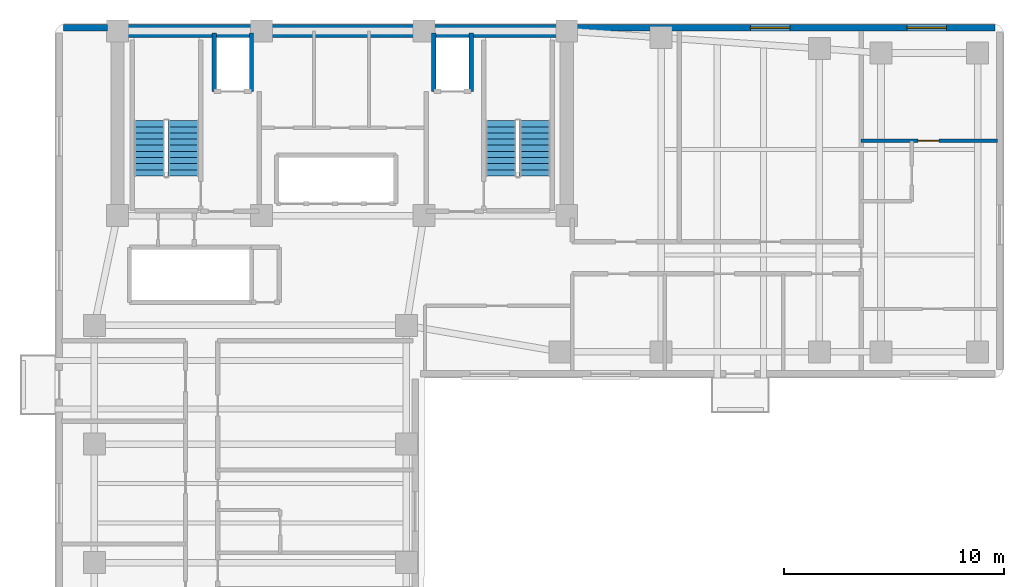
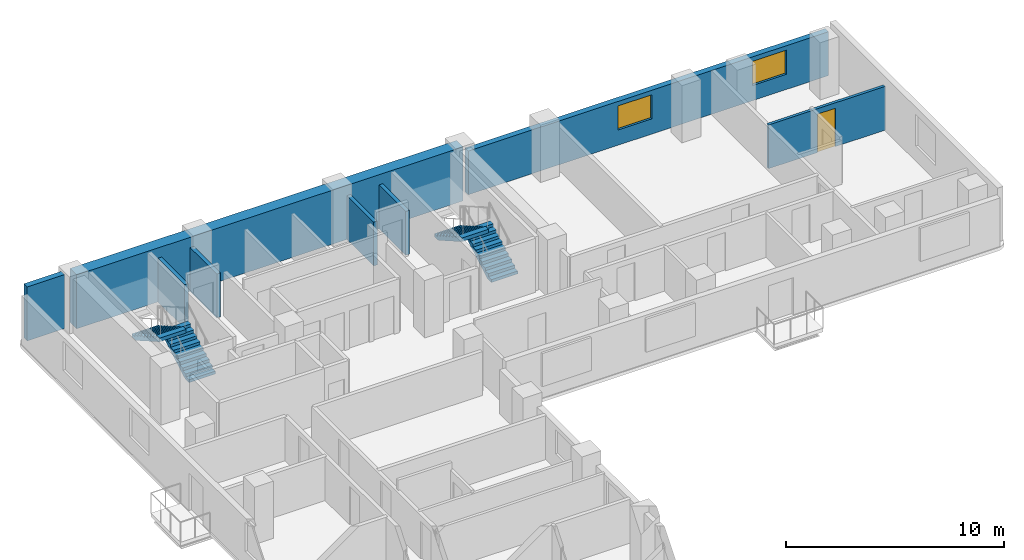
# One storey, part 5 of 7: 8 walls, 4 stair flights, 2 windows, 1 door, 3 openings, 2 elements without a shape of their own.
"""IFC4 building model written with IfcOpenShell, lengths in metres."""

from ifc_helpers import new_model, si_unit, direction, frame, frame_2d, origin, place, context, subcontext, project, spatial, polyline, rectangle, outline, extrude, material, layer, layer_set, type_object, element, fill, aggregate, save


model = new_model("IFC4")

# Units and contexts
model_context = context("Model", 3, precision=1e-05, world=origin(), true_north=direction((0.0, 1.0)))
body_context = subcontext(model_context, "Body", "Model", "MODEL_VIEW")
ifc_project = project(units=[si_unit("LENGTHUNIT", "METRE"), si_unit("AREAUNIT", "SQUARE_METRE"), si_unit("VOLUMEUNIT", "CUBIC_METRE"), si_unit("PLANEANGLEUNIT", "RADIAN"), si_unit("MASSUNIT", "GRAM", prefix="KILO")], contexts=[model_context])

# Site, building, storey
site_placement = place(None, origin())
site = spatial("IfcSite", under=ifc_project, at=site_placement, CompositionType="ELEMENT")
building_placement = place(site_placement, origin())
building = spatial("IfcBuilding", under=site, at=building_placement, Name="Kuzgunbayir Cultural Tower", CompositionType="ELEMENT")
storey_placement = place(building_placement, frame((0.0, 0.0, 142.60009765625)))
storey = spatial("IfcBuildingStorey", under=building, at=storey_placement, Name="L41", CompositionType="ELEMENT", Elevation=142.60009765625)

# Wall
ifc_material_1 = material(Name="Concrete C60/75", Category="concrete")
ifc_layer_1 = layer(ifc_material_1, 0.60009765625)
ifc_layer_set_1 = layer_set([ifc_layer_1], Name="Concrete C60/75")
wall_type_1 = type_object("IfcWallType", Name="WAL-CORE-600", PredefinedType="SHEAR", material=ifc_layer_set_1)
wall_1_placement = place(storey_placement, frame((6.449951171875, 42.199951171875, 0.0), z_axis=(0.0, 0.0, 1.0), x_axis=(1.0, 0.0, 0.0)))
element("IfcWall", 1, at=wall_1_placement, inside=storey, type_object=wall_type_1, Name="L41 T1 Core North Shear Wall", PredefinedType="SHEAR", context=body_context, shape_type="SweptSolid", body=[
    extrude(rectangle(XDim=20.449951171875, YDim=0.60009765625, at=frame_2d((10.22509765625, 0.0))), origin(), (0.0, 0.0, 1.0), 3.02001953125),
])

# Wall, openings, windows
ifc_material_2 = material(Name="Anatolian Cream Limestone", Category="masonry")
ifc_layer_2 = layer(ifc_material_2, 0.300048828125)
ifc_layer_set_2 = layer_set([ifc_layer_2], Name="Anatolian Cream Limestone")
wall_type_2 = type_object("IfcWallType", Name="WAL-EXT-STONE-300", PredefinedType="STANDARD", material=ifc_layer_set_2)
wall_2_placement = place(storey_placement, frame((46.39990234375, 42.35009765625, 0.0), z_axis=(0.0, 0.0, 1.0), x_axis=(-1.0, 0.0, 0.0)))
wall_2 = element("IfcWall", 2, at=wall_2_placement, inside=storey, type_object=wall_type_2, Name="L41 North Wing B Limestone Wall", PredefinedType="STANDARD", context=body_context, shape_type="SweptSolid", body=[
    extrude(rectangle(XDim=19.0498046875, YDim=0.300048828125, at=frame_2d((9.52490234375, 0.0))), origin(), (0.0, 0.0, 1.0), 2.449951171875),
])
opening_1_placement = place(wall_2_placement, frame((2.219970703125, 0.0, 0.85009765625)))
opening_1 = element("IfcOpeningElement", 3, at=opening_1_placement, cuts=wall_2, Name="Opening WH-18", PredefinedType="OPENING", context=body_context, shape_type="SweptSolid", body=[
    extrude(rectangle(XDim=1.800048828125, YDim=1.35009765625, at=frame_2d((0.89990234375, 0.675048828125))), frame((0.0, 0.16015625, 0.0), z_axis=(0.0, -1.0, 0.0), x_axis=(1.0, 0.0, 0.0)), (0.0, 0.0, 1.0), 0.320068359375),
])
opening_2_placement = place(wall_2_placement, frame((9.340087890625, 0.0, 0.85009765625)))
opening_2 = element("IfcOpeningElement", 4, at=opening_2_placement, cuts=wall_2, Name="Opening WH-18", PredefinedType="OPENING", context=body_context, shape_type="SweptSolid", body=[
    extrude(rectangle(XDim=1.800048828125, YDim=1.35009765625, at=frame_2d((0.89990234375, 0.675048828125))), frame((0.0, 0.16015625, 0.0), z_axis=(0.0, -1.0, 0.0), x_axis=(1.0, 0.0, 0.0)), (0.0, 0.0, 1.0), 0.320068359375),
])
ifc_material_3 = material(Name="Solar-Control Triple Glazing", Category="glass")
window_type = type_object("IfcWindowType", Name="WIN-HOTEL-18", PartitioningType="SINGLE_PANEL", PredefinedType="WINDOW", material=ifc_material_3)
window_1_placement = place(opening_1_placement, origin())
window_1 = element("IfcWindow", 5, at=window_1_placement, inside=storey, type_object=window_type, Name="L41 CRN Facade Window 5", OverallHeight=1.35009765625, OverallWidth=1.800048828125, PartitioningType="SINGLE_PANEL", PredefinedType="WINDOW", context=body_context, shape_type="SweptSolid", body=[
    extrude(rectangle(XDim=1.800048828125, YDim=1.35009765625, at=frame_2d((0.89990234375, 0.675048828125))), frame((0.0, 0.030029296875, 0.0), z_axis=(0.0, -1.0, 0.0), x_axis=(1.0, 0.0, 0.0)), (0.0, 0.0, 1.0), 0.06005859375),
])
fill(opening_1, window_1)
window_2_placement = place(opening_2_placement, origin())
window_2 = element("IfcWindow", 6, at=window_2_placement, inside=storey, type_object=window_type, Name="L41 CRN Facade Window 6", OverallHeight=1.35009765625, OverallWidth=1.800048828125, PartitioningType="SINGLE_PANEL", PredefinedType="WINDOW", context=body_context, shape_type="SweptSolid", body=[
    extrude(rectangle(XDim=1.800048828125, YDim=1.35009765625, at=frame_2d((0.89990234375, 0.675048828125))), frame((0.0, 0.030029296875, 0.0), z_axis=(0.0, -1.0, 0.0), x_axis=(1.0, 0.0, 0.0)), (0.0, 0.0, 1.0), 0.06005859375),
])
fill(opening_2, window_2)

# Wall
wall_3_placement = place(storey_placement, frame((6.0, 42.35009765625, 0.0), z_axis=(0.0, 0.0, 1.0), x_axis=(-1.0, 0.0, 0.0)))
element("IfcWall", 7, at=wall_3_placement, inside=storey, type_object=wall_type_2, Name="L41 Core North-West Spandrel Link", PredefinedType="STANDARD", context=body_context, shape_type="SweptSolid", body=[
    extrude(rectangle(XDim=2.0, YDim=0.300048828125, at=frame_2d((1.0, 0.0))), origin(), (0.0, 0.0, 1.0), 3.02001953125),
])

# Wall, opening, door
ifc_material_4 = material(Name="Acoustic Double-Stud Drywall", Category="gypsum")
ifc_layer_3 = layer(ifc_material_4, 0.14990234375)
ifc_layer_set_3 = layer_set([ifc_layer_3], Name="Acoustic Double-Stud Drywall")
wall_type_3 = type_object("IfcWallType", Name="WAL-PART-ACOUSTIC-150", PredefinedType="PARTITIONING", material=ifc_layer_set_3)
wall_4_placement = place(storey_placement, frame((40.300048828125, 37.199951171875, 0.0), z_axis=(0.0, 0.0, 1.0), x_axis=(1.0, 0.0, 0.0)))
wall_4 = element("IfcWall", 8, at=wall_4_placement, inside=storey, type_object=wall_type_3, Name="L41 Corner Suite Bedroom Wall", PredefinedType="PARTITIONING", context=body_context, shape_type="SweptSolid", body=[
    extrude(rectangle(XDim=6.199951171875, YDim=0.14990234375, at=frame_2d((3.10009765625, 0.0))), origin(), (0.0, 0.0, 1.0), 2.449951171875),
])
opening_3_placement = place(wall_4_placement, frame((2.590087890625, 0.0, 0.0)))
opening_3 = element("IfcOpeningElement", 9, at=opening_3_placement, cuts=wall_4, Name="Opening DI-90", PredefinedType="OPENING", context=body_context, shape_type="SweptSolid", body=[
    extrude(rectangle(XDim=0.949951171875, YDim=2.14990234375, at=frame_2d((0.47509765625, 1.074951171875))), frame((0.0, 0.0849609375, 0.0), z_axis=(0.0, -1.0, 0.0), x_axis=(1.0, 0.0, 0.0)), (0.0, 0.0, 1.0), 0.169921875),
])
ifc_material_5 = material(Name="Veneered Oak Single Leaf", Category="wood")
door_type = type_object("IfcDoorType", Name="DR-INT-90", OperationType="NOTDEFINED", PredefinedType="DOOR", material=ifc_material_5)
door_placement = place(opening_3_placement, origin())
door = element("IfcDoor", 10, at=door_placement, inside=storey, type_object=door_type, Name="L41 Corner Bedroom Door", OperationType="SINGLE_SWING_LEFT", OverallHeight=2.14990234375, OverallWidth=0.949951171875, PredefinedType="DOOR", context=body_context, shape_type="SweptSolid", body=[
    extrude(rectangle(XDim=0.949951171875, YDim=2.14990234375, at=frame_2d((0.47509765625, 1.074951171875))), frame((0.0, 0.02490234375, 0.0), z_axis=(0.0, -1.0, 0.0), x_axis=(1.0, 0.0, 0.0)), (0.0, 0.0, 1.0), 0.050048828125),
])
fill(opening_3, door)

# Walls
ifc_material_6 = material(Name="Concrete C40/50", Category="concrete")
ifc_layer_4 = layer(ifc_material_6, 0.199951171875)
ifc_layer_set_4 = layer_set([ifc_layer_4], Name="Concrete C40/50")
wall_type_4 = type_object("IfcWallType", Name="WAL-SHAFT-200", PredefinedType="MOVABLE", material=ifc_layer_set_4)
for number, where, z_axis, x_axis, name in (
    (11, (10.85009765625, 39.449951171875, 0.0), (0.0, 0.0, 1.0), (0.0, 1.0, 0.0), "L41 FFL-1 Shaft West Wall"),
    (12, (12.550048828125, 39.449951171875, 0.0), (0.0, 0.0, 1.0), (0.0, 1.0, 0.0), "L41 FFL-1 Shaft East Wall"),
    (13, (20.85009765625, 39.449951171875, 0.0), (0.0, 0.0, 1.0), (0.0, 1.0, 0.0), "L41 FFL-2 Shaft West Wall"),
    (14, (22.550048828125, 39.449951171875, 0.0), (0.0, 0.0, 1.0), (0.0, 1.0, 0.0), "L41 FFL-2 Shaft East Wall"),
):
    element("IfcWall", number, at=place(storey_placement, frame(where, z_axis=z_axis, x_axis=x_axis)), inside=storey, type_object=wall_type_4, Name=name, PredefinedType="MOVABLE", context=body_context, shape_type="SweptSolid", body=[
        extrude(rectangle(XDim=2.650146484375, YDim=0.199951171875, at=frame_2d((1.3251953125, 0.0))), origin(), (0.0, 0.0, 1.0), 2.449951171875),
    ])

# Stair, stair flights
stair_type = type_object("IfcStairType", Name="STR-EXIT-CORE", PredefinedType="HALF_TURN_STAIR", material=ifc_material_6)
stair_1_placement = place(storey_placement, origin())
stair_1 = element("IfcStair", 15, at=stair_1_placement, inside=storey, type_object=stair_type, Name="L41 ST-1", PredefinedType="HALF_TURN_STAIR")
stair_flight_type = type_object("IfcStairFlightType", Name="STRF-RC-140", PredefinedType="STRAIGHT", material=ifc_material_6)
stair_flight_1_placement = place(storey_placement, frame((9.4599609375, 35.60009765625, 0.0), z_axis=(0.0, 0.0, 1.0), x_axis=(0.0, 1.0, 0.0)))
stair_flight_1 = element("IfcStairFlight", 16, at=stair_flight_1_placement, type_object=stair_flight_type, Name="ST-1 flight 1", NumberOfRisers=10, NumberOfTreads=9, PredefinedType="STRAIGHT", RiserHeight=0.16, TreadLength=0.28, context=body_context, shape_type="SweptSolid", body=[
    extrude(outline(polyline([(0.0, 0.0), (0.0, 0.159912109375), (0.280029296875, 0.159912109375), (0.280029296875, 0.320068359375), (0.56005859375, 0.320068359375), (0.56005859375, 0.47998046875), (0.840087890625, 0.47998046875), (0.840087890625, 0.639892578125), (1.1201171875, 0.639892578125), (1.1201171875, 0.800048828125), (1.39990234375, 0.800048828125), (1.39990234375, 0.9599609375), (1.679931640625, 0.9599609375), (1.679931640625, 1.1201171875), (1.9599609375, 1.1201171875), (1.9599609375, 1.280029296875), (2.239990234375, 1.280029296875), (2.239990234375, 1.43994140625), (2.52001953125, 1.43994140625), (2.52001953125, 1.60009765625), (2.52001953125, 1.232666015625), (0.362548828125, 0.0), (0.0, 0.0)])), frame((0.0, 0.699951171875, 0.0), z_axis=(0.0, -1.0, 0.0), x_axis=(1.0, 0.0, 0.0)), (0.0, 0.0, 1.0), 1.39990234375),
])
stair_flight_2_placement = place(storey_placement, frame((7.89990234375, 38.1201171875, 1.599853515625), z_axis=(0.0, 0.0, 1.0), x_axis=(0.0, -1.0, 0.0)))
stair_flight_2 = element("IfcStairFlight", 17, at=stair_flight_2_placement, type_object=stair_flight_type, Name="ST-1 flight 2", NumberOfRisers=10, NumberOfTreads=9, PredefinedType="STRAIGHT", RiserHeight=0.16, TreadLength=0.28, context=body_context, shape_type="SweptSolid", body=[
    extrude(outline(polyline([(0.0, 0.0), (0.0, 0.159912109375), (0.280029296875, 0.159912109375), (0.280029296875, 0.320068359375), (0.56005859375, 0.320068359375), (0.56005859375, 0.47998046875), (0.840087890625, 0.47998046875), (0.840087890625, 0.639892578125), (1.1201171875, 0.639892578125), (1.1201171875, 0.800048828125), (1.39990234375, 0.800048828125), (1.39990234375, 0.9599609375), (1.679931640625, 0.9599609375), (1.679931640625, 1.1201171875), (1.9599609375, 1.1201171875), (1.9599609375, 1.280029296875), (2.239990234375, 1.280029296875), (2.239990234375, 1.43994140625), (2.52001953125, 1.43994140625), (2.52001953125, 1.60009765625), (2.52001953125, 1.232666015625), (0.362548828125, 0.0), (0.0, 0.0)])), frame((0.0, 0.699951171875, 0.0), z_axis=(0.0, -1.0, 0.0), x_axis=(1.0, 0.0, 0.0)), (0.0, 0.0, 1.0), 1.39990234375),
])
aggregate(stair_1, [stair_flight_1, stair_flight_2])

stair_2_placement = place(storey_placement, origin())
stair_2 = element("IfcStair", 18, at=stair_2_placement, inside=storey, type_object=stair_type, Name="L41 ST-2", PredefinedType="HALF_TURN_STAIR")
stair_flight_3_placement = place(storey_placement, frame((25.4599609375, 35.60009765625, 0.0), z_axis=(0.0, 0.0, 1.0), x_axis=(0.0, 1.0, 0.0)))
stair_flight_3 = element("IfcStairFlight", 19, at=stair_flight_3_placement, type_object=stair_flight_type, Name="ST-2 flight 1", NumberOfRisers=10, NumberOfTreads=9, PredefinedType="STRAIGHT", RiserHeight=0.16, TreadLength=0.28, context=body_context, shape_type="SweptSolid", body=[
    extrude(outline(polyline([(0.0, 0.0), (0.0, 0.159912109375), (0.280029296875, 0.159912109375), (0.280029296875, 0.320068359375), (0.56005859375, 0.320068359375), (0.56005859375, 0.47998046875), (0.840087890625, 0.47998046875), (0.840087890625, 0.639892578125), (1.1201171875, 0.639892578125), (1.1201171875, 0.800048828125), (1.39990234375, 0.800048828125), (1.39990234375, 0.9599609375), (1.679931640625, 0.9599609375), (1.679931640625, 1.1201171875), (1.9599609375, 1.1201171875), (1.9599609375, 1.280029296875), (2.239990234375, 1.280029296875), (2.239990234375, 1.43994140625), (2.52001953125, 1.43994140625), (2.52001953125, 1.60009765625), (2.52001953125, 1.232666015625), (0.362548828125, 0.0), (0.0, 0.0)])), frame((0.0, 0.699951171875, 0.0), z_axis=(0.0, -1.0, 0.0), x_axis=(1.0, 0.0, 0.0)), (0.0, 0.0, 1.0), 1.39990234375),
])
stair_flight_4_placement = place(storey_placement, frame((23.89990234375, 38.1201171875, 1.599853515625), z_axis=(0.0, 0.0, 1.0), x_axis=(0.0, -1.0, 0.0)))
stair_flight_4 = element("IfcStairFlight", 20, at=stair_flight_4_placement, type_object=stair_flight_type, Name="ST-2 flight 2", NumberOfRisers=10, NumberOfTreads=9, PredefinedType="STRAIGHT", RiserHeight=0.16, TreadLength=0.28, context=body_context, shape_type="SweptSolid", body=[
    extrude(outline(polyline([(0.0, 0.0), (0.0, 0.159912109375), (0.280029296875, 0.159912109375), (0.280029296875, 0.320068359375), (0.56005859375, 0.320068359375), (0.56005859375, 0.47998046875), (0.840087890625, 0.47998046875), (0.840087890625, 0.639892578125), (1.1201171875, 0.639892578125), (1.1201171875, 0.800048828125), (1.39990234375, 0.800048828125), (1.39990234375, 0.9599609375), (1.679931640625, 0.9599609375), (1.679931640625, 1.1201171875), (1.9599609375, 1.1201171875), (1.9599609375, 1.280029296875), (2.239990234375, 1.280029296875), (2.239990234375, 1.43994140625), (2.52001953125, 1.43994140625), (2.52001953125, 1.60009765625), (2.52001953125, 1.232666015625), (0.362548828125, 0.0), (0.0, 0.0)])), frame((0.0, 0.699951171875, 0.0), z_axis=(0.0, -1.0, 0.0), x_axis=(1.0, 0.0, 0.0)), (0.0, 0.0, 1.0), 1.39990234375),
])
aggregate(stair_2, [stair_flight_3, stair_flight_4])

save(model, "model.ifc")
